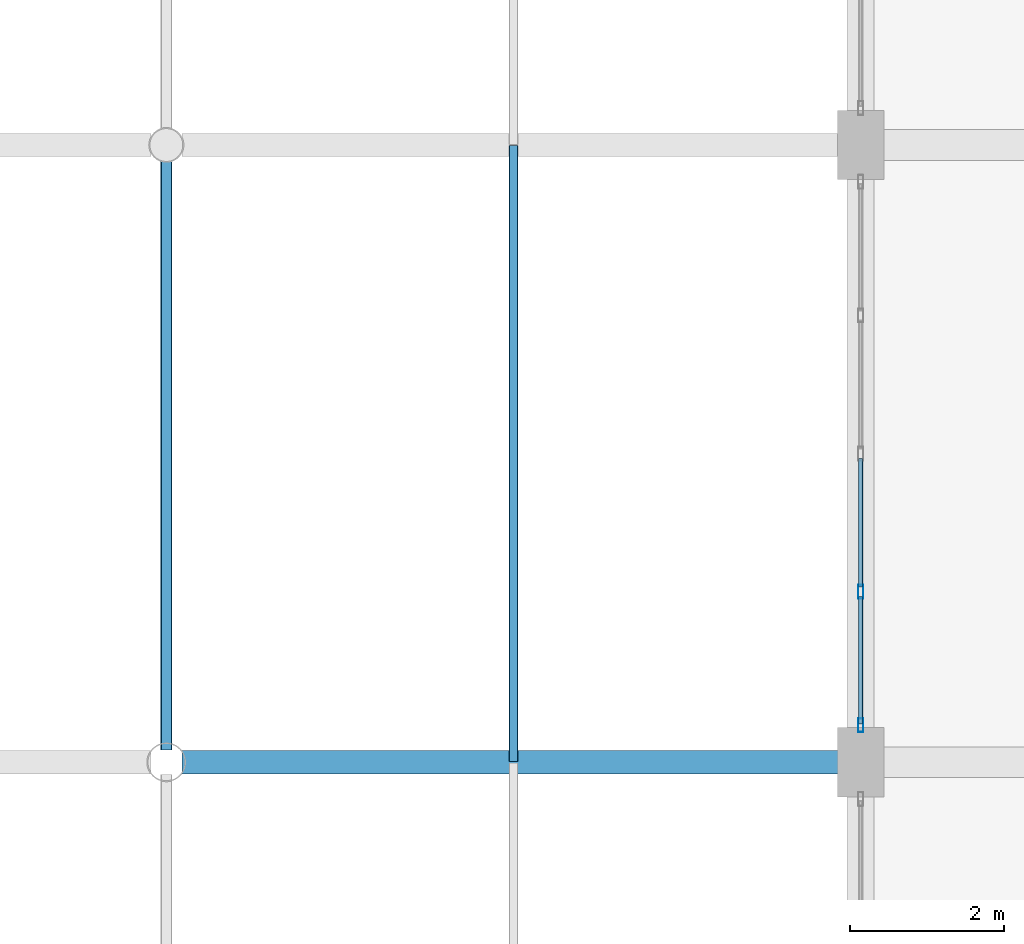
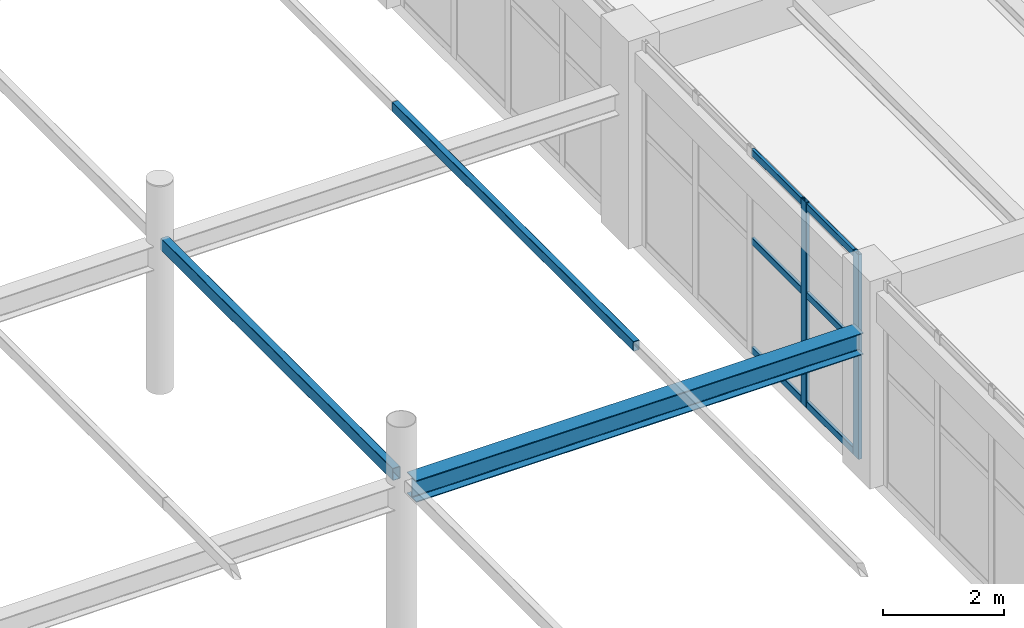
# One storey, part 53 of 148: 10 members, 1 beam, 1 element without a shape of its own.
"""IFC4 building model written with IfcOpenShell, lengths in metres."""

from ifc_helpers import new_model, si_unit, derived_unit, direction, frame, origin, origin_2d, place, context, subcontext, project, spatial, hollow_rectangle, i_section, extrude, material, material_profile, profile_set, type_object, element, aggregate, save


model = new_model("IFC4")

# Units and contexts
model_context = context("Model", 3, precision=1e-05, world=origin(), true_north=direction((0.0, 1.0)))
body_context = subcontext(model_context, "Body", "Model", "MODEL_VIEW")
ifc_project = project(units=[si_unit("LENGTHUNIT", "METRE"), si_unit("AREAUNIT", "SQUARE_METRE"), si_unit("VOLUMEUNIT", "CUBIC_METRE"), si_unit("PLANEANGLEUNIT", "RADIAN"), si_unit("MASSUNIT", "GRAM", prefix="KILO"), derived_unit("THERMALTRANSMITTANCEUNIT", [(si_unit("MASSUNIT", "GRAM", prefix="KILO"), 1), (si_unit("TIMEUNIT", "SECOND"), -3), (si_unit("THERMODYNAMICTEMPERATUREUNIT", "KELVIN"), -1)])], contexts=[model_context])

# Site, building, storey
site_placement = place(None, origin())
site = spatial("IfcSite", under=ifc_project, at=site_placement, CompositionType="ELEMENT")
building_placement = place(site_placement, origin())
building = spatial("IfcBuilding", under=site, at=building_placement, Name="Zhenchuan Archway Interchange", CompositionType="ELEMENT")
storey_placement = place(building_placement, frame((0.0, 0.0, 10.199951171875)))
storey = spatial("IfcBuildingStorey", under=building, at=storey_placement, Name="L02", CompositionType="ELEMENT", Elevation=10.199951171875)

# Beam
ifc_material_1 = material(Name="Steel Q355", Category="steel")
ifc_material_profile_1 = material_profile(ifc_material_1, i_section(OverallWidth=0.300048828125, OverallDepth=0.43994140625, WebThickness=0.010986328125, FlangeThickness=0.01806640625, FilletRadius=0.02197265625, at=origin_2d()), Name="HM 440x300")
ifc_profile_set_1 = profile_set([ifc_material_profile_1], Name="Steel Q355")
beam_type = type_object("IfcBeamType", Name="BM_STL_HM440", PredefinedType="BEAM", material=ifc_profile_set_1)
beam_placement = place(storey_placement, frame((18.199951171875, 72.0, 2.75), z_axis=(1.0, 0.0, 0.0), x_axis=(0.0, 1.0, 0.0)))
element("IfcBeam", 1, at=beam_placement, inside=storey, type_object=beam_type, Name="ROOF TRUSS bus canopy T7 east bottom chord", PredefinedType="BEAM", context=body_context, shape_type="SweptSolid", body=[
    extrude(i_section(OverallWidth=0.300048828125, OverallDepth=0.43994140625, WebThickness=0.010986328125, FlangeThickness=0.01806640625, FilletRadius=0.02197265625, at=origin_2d()), origin(), (0.0, 0.0, 1.0), 8.550048828125),
])

# Curtain wall, members
ifc_material_2 = material(Name="Anodised Aluminium", Category="aluminium")
curtain_wall_type = type_object("IfcCurtainWallType", Name="CW_UNIT_1", PredefinedType="NOTDEFINED", material=ifc_material_2)
curtain_wall_placement = place(storey_placement, origin())
curtain_wall = element("IfcCurtainWall", 2, at=curtain_wall_placement, inside=storey, type_object=curtain_wall_type, Name="Unitised curtain wall CW:L02:132", PredefinedType="NOTDEFINED")
ifc_material_profile_2 = material_profile(ifc_material_2, hollow_rectangle(XDim=0.070068359375, YDim=0.179931640625, WallThickness=0.00390625, InnerFilletRadius=0.00390625, OuterFilletRadius=0.008056640625, at=origin_2d()), Name="ALU 180x70x4")
ifc_profile_set_2 = profile_set([ifc_material_profile_2], Name="Anodised Aluminium")
member_type_1 = type_object("IfcMemberType", Name="CW_MUL_180", PredefinedType="MULLION", material=ifc_profile_set_2)
member_1_placement = place(storey_placement, frame((27.0, 72.47802734375, 0.0), z_axis=(0.0, 0.0, 1.0), x_axis=(1.0, 0.0, 0.0)))
member_1 = element("IfcMember", 3, at=member_1_placement, type_object=member_type_1, Name="CW:L02:132 mullion 0", PredefinedType="MULLION", context=body_context, shape_type="SweptSolid", body=[
    extrude(hollow_rectangle(XDim=0.070068359375, YDim=0.179931640625, WallThickness=0.00390625, InnerFilletRadius=0.00390625, OuterFilletRadius=0.008056640625, at=origin_2d()), origin(), (0.0, 0.0, 1.0), 4.14013671875),
])
member_2_placement = place(storey_placement, frame((27.0, 74.208984375, 0.0), z_axis=(0.0, 0.0, 1.0), x_axis=(1.0, 0.0, 0.0)))
member_2 = element("IfcMember", 4, at=member_2_placement, type_object=member_type_1, Name="CW:L02:132 mullion 1", PredefinedType="MULLION", context=body_context, shape_type="SweptSolid", body=[
    extrude(hollow_rectangle(XDim=0.070068359375, YDim=0.179931640625, WallThickness=0.00390625, InnerFilletRadius=0.00390625, OuterFilletRadius=0.008056640625, at=origin_2d()), origin(), (0.0, 0.0, 1.0), 4.14013671875),
])
ifc_material_profile_3 = material_profile(ifc_material_2, hollow_rectangle(XDim=0.06005859375, YDim=0.139892578125, WallThickness=0.00341796875, InnerFilletRadius=0.00341796875, OuterFilletRadius=0.007080078125, at=origin_2d()), Name="ALU 140x60x3.5")
ifc_profile_set_3 = profile_set([ifc_material_profile_3], Name="Anodised Aluminium")
member_type_2 = type_object("IfcMemberType", Name="CW_TRN_140", PredefinedType="USERDEFINED", material=ifc_profile_set_3)
member_3_placement = place(storey_placement, frame((27.0, 72.498046875, 0.06005859375), z_axis=(0.0, 1.0, 0.0), x_axis=(-1.0, 0.0, 0.0)))
member_3 = element("IfcMember", 5, at=member_3_placement, type_object=member_type_2, Name="CW:L02:132 transom 0-1", ObjectType="TRANSOM", PredefinedType="USERDEFINED", context=body_context, shape_type="SweptSolid", body=[
    extrude(hollow_rectangle(XDim=0.06005859375, YDim=0.139892578125, WallThickness=0.00341796875, InnerFilletRadius=0.00341796875, OuterFilletRadius=0.007080078125, at=origin_2d()), origin(), (0.0, 0.0, 1.0), 1.65087890625),
])
member_4_placement = place(storey_placement, frame((27.0, 72.498046875, 2.26611328125), z_axis=(0.0, 1.0, 0.0), x_axis=(-1.0, 0.0, 0.0)))
member_4 = element("IfcMember", 6, at=member_4_placement, type_object=member_type_2, Name="CW:L02:132 transom 0-2", ObjectType="TRANSOM", PredefinedType="USERDEFINED", context=body_context, shape_type="SweptSolid", body=[
    extrude(hollow_rectangle(XDim=0.06005859375, YDim=0.139892578125, WallThickness=0.00341796875, InnerFilletRadius=0.00341796875, OuterFilletRadius=0.007080078125, at=origin_2d()), origin(), (0.0, 0.0, 1.0), 1.65087890625),
])
member_5_placement = place(storey_placement, frame((27.0, 72.498046875, 4.06005859375), z_axis=(0.0, 1.0, 0.0), x_axis=(-1.0, 0.0, 0.0)))
member_5 = element("IfcMember", 7, at=member_5_placement, type_object=member_type_2, Name="CW:L02:132 transom 0-3", ObjectType="TRANSOM", PredefinedType="USERDEFINED", context=body_context, shape_type="SweptSolid", body=[
    extrude(hollow_rectangle(XDim=0.06005859375, YDim=0.139892578125, WallThickness=0.00341796875, InnerFilletRadius=0.00341796875, OuterFilletRadius=0.007080078125, at=origin_2d()), origin(), (0.0, 0.0, 1.0), 1.65087890625),
])
member_6_placement = place(storey_placement, frame((27.0, 74.26904296875, 0.06005859375), z_axis=(0.0, 1.0, 0.0), x_axis=(-1.0, 0.0, 0.0)))
member_6 = element("IfcMember", 8, at=member_6_placement, type_object=member_type_2, Name="CW:L02:132 transom 1-1", ObjectType="TRANSOM", PredefinedType="USERDEFINED", context=body_context, shape_type="SweptSolid", body=[
    extrude(hollow_rectangle(XDim=0.06005859375, YDim=0.139892578125, WallThickness=0.00341796875, InnerFilletRadius=0.00341796875, OuterFilletRadius=0.007080078125, at=origin_2d()), origin(), (0.0, 0.0, 1.0), 1.6708984375),
])
member_7_placement = place(storey_placement, frame((27.0, 74.26904296875, 2.26611328125), z_axis=(0.0, 1.0, 0.0), x_axis=(-1.0, 0.0, 0.0)))
member_7 = element("IfcMember", 9, at=member_7_placement, type_object=member_type_2, Name="CW:L02:132 transom 1-2", ObjectType="TRANSOM", PredefinedType="USERDEFINED", context=body_context, shape_type="SweptSolid", body=[
    extrude(hollow_rectangle(XDim=0.06005859375, YDim=0.139892578125, WallThickness=0.00341796875, InnerFilletRadius=0.00341796875, OuterFilletRadius=0.007080078125, at=origin_2d()), origin(), (0.0, 0.0, 1.0), 1.6708984375),
])
member_8_placement = place(storey_placement, frame((27.0, 74.26904296875, 4.06005859375), z_axis=(0.0, 1.0, 0.0), x_axis=(-1.0, 0.0, 0.0)))
member_8 = element("IfcMember", 10, at=member_8_placement, type_object=member_type_2, Name="CW:L02:132 transom 1-3", ObjectType="TRANSOM", PredefinedType="USERDEFINED", context=body_context, shape_type="SweptSolid", body=[
    extrude(hollow_rectangle(XDim=0.06005859375, YDim=0.139892578125, WallThickness=0.00341796875, InnerFilletRadius=0.00341796875, OuterFilletRadius=0.007080078125, at=origin_2d()), origin(), (0.0, 0.0, 1.0), 1.6708984375),
])
aggregate(curtain_wall, [member_1, member_2, member_3, member_4, member_5, member_6, member_7, member_8])

# Members
ifc_material_profile_4 = material_profile(ifc_material_1, hollow_rectangle(XDim=0.1201171875, YDim=0.199951171875, WallThickness=0.008056640625, InnerFilletRadius=0.008056640625, OuterFilletRadius=0.01611328125, at=origin_2d()), Name="RHS 200x120x8")
ifc_profile_set_4 = profile_set([ifc_material_profile_4], Name="Steel Q355")
member_type_3 = type_object("IfcMemberType", Name="MB_RHS200", PredefinedType="PURLIN", material=ifc_profile_set_4)
member_9_placement = place(storey_placement, frame((22.5, 72.008056640625, 4.10009765625), z_axis=(0.0, 1.0, 0.0), x_axis=(-1.0, 0.0, 0.0)))
element("IfcMember", 11, at=member_9_placement, inside=storey, type_object=member_type_3, Name="Bus canopy roof purlin B7-P6", PredefinedType="PURLIN", context=body_context, shape_type="SweptSolid", body=[
    extrude(hollow_rectangle(XDim=0.1201171875, YDim=0.199951171875, WallThickness=0.008056640625, InnerFilletRadius=0.008056640625, OuterFilletRadius=0.01611328125, at=origin_2d()), origin(), (0.0, 0.0, 1.0), 7.98388671875),
])
ifc_material_profile_5 = material_profile(ifc_material_1, hollow_rectangle(XDim=0.14990234375, YDim=0.25, WallThickness=0.008056640625, InnerFilletRadius=0.008056640625, OuterFilletRadius=0.01611328125, at=origin_2d()), Name="RHS 250x150x8")
ifc_profile_set_5 = profile_set([ifc_material_profile_5], Name="Steel Q355")
member_type_4 = type_object("IfcMemberType", Name="MB_RHS250", PredefinedType="PURLIN", material=ifc_profile_set_5)
member_10_placement = place(storey_placement, frame((18.0, 72.159912109375, 3.0), z_axis=(0.0, 1.0, 0.0), x_axis=(-1.0, 0.0, 0.0)))
element("IfcMember", 12, at=member_10_placement, inside=storey, type_object=member_type_4, Name="Bus canopy roof purlin B7-P5", PredefinedType="PURLIN", context=body_context, shape_type="SweptSolid", body=[
    extrude(hollow_rectangle(XDim=0.14990234375, YDim=0.25, WallThickness=0.008056640625, InnerFilletRadius=0.008056640625, OuterFilletRadius=0.01611328125, at=origin_2d()), origin(), (0.0, 0.0, 1.0), 7.68017578125),
])

save(model, "model.ifc")
